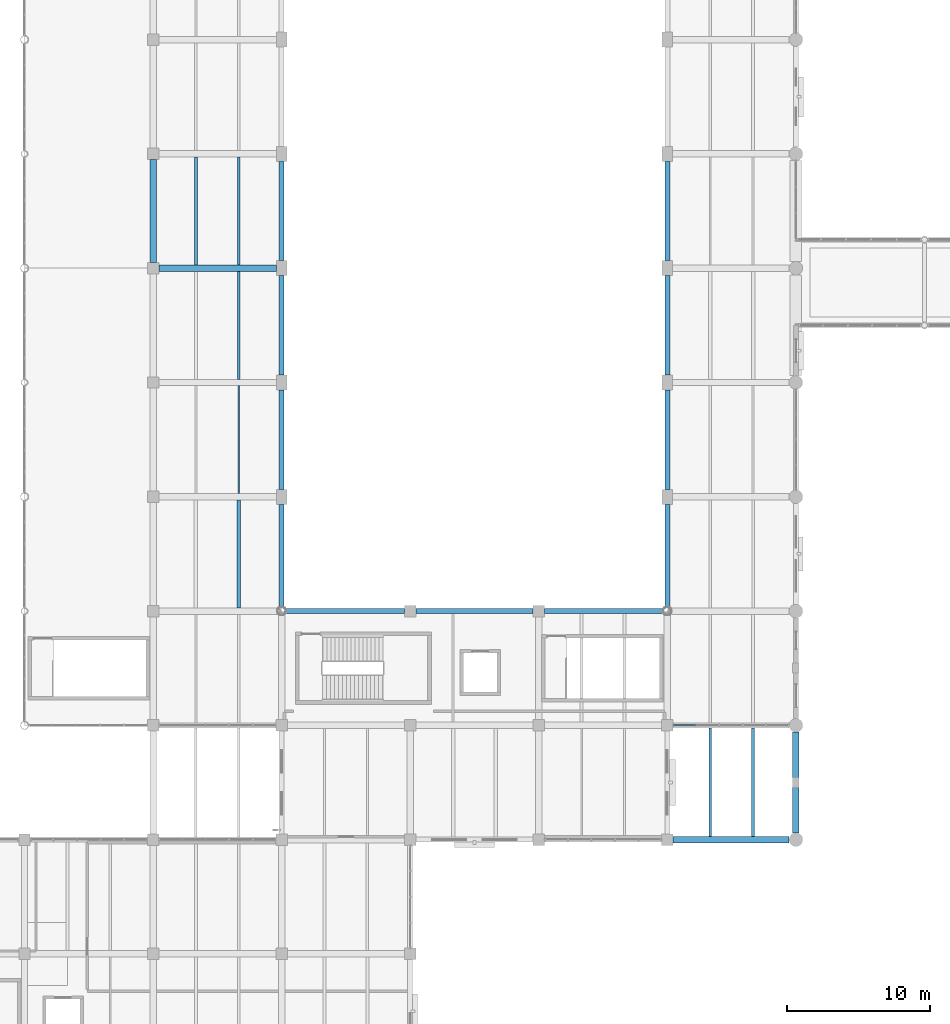
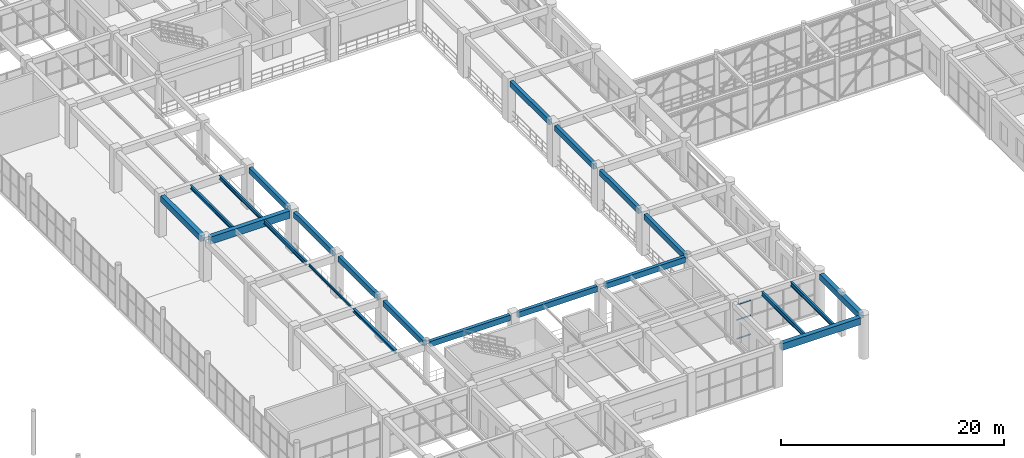
# One storey, part 43 of 178: 22 beams, 3 members, 1 element without a shape of its own.
"""IFC4 building model written with IfcOpenShell, lengths in metres."""

from ifc_helpers import new_model, si_unit, derived_unit, direction, frame, origin, origin_2d, place, context, subcontext, project, spatial, rectangle, hollow_rectangle, i_section, extrude, material, material_profile, profile_set, type_object, element, aggregate, save


model = new_model("IFC4")

# Units and contexts
model_context = context("Model", 3, precision=1e-05, world=origin(), true_north=direction((0.0, 1.0)))
body_context = subcontext(model_context, "Body", "Model", "MODEL_VIEW")
ifc_project = project(units=[si_unit("LENGTHUNIT", "METRE"), si_unit("AREAUNIT", "SQUARE_METRE"), si_unit("VOLUMEUNIT", "CUBIC_METRE"), si_unit("PLANEANGLEUNIT", "RADIAN"), si_unit("MASSUNIT", "GRAM", prefix="KILO"), derived_unit("THERMALTRANSMITTANCEUNIT", [(si_unit("MASSUNIT", "GRAM", prefix="KILO"), 1), (si_unit("TIMEUNIT", "SECOND"), -3), (si_unit("THERMODYNAMICTEMPERATUREUNIT", "KELVIN"), -1)])], contexts=[model_context])

# Site, building, storey
site_placement = place(None, origin())
site = spatial("IfcSite", under=ifc_project, at=site_placement, CompositionType="ELEMENT")
building_placement = place(site_placement, origin())
building = spatial("IfcBuilding", under=site, at=building_placement, Name="Zhenchuan Archway Interchange", CompositionType="ELEMENT")
storey_placement = place(building_placement, frame((0.0, 0.0, 5.39990234375)))
storey = spatial("IfcBuildingStorey", under=building, at=storey_placement, Name="L01", CompositionType="ELEMENT", Elevation=5.39990234375)

# Beams
ifc_material_1 = material(Name="Concrete C40", Category="concrete")
ifc_material_profile_1 = material_profile(ifc_material_1, rectangle(XDim=0.449951171875, YDim=0.64990234375, at=origin_2d()), Name="RC 450x650")
ifc_profile_set_1 = profile_set([ifc_material_profile_1], Name="Concrete C40")
beam_type_1 = type_object("IfcBeamType", Name="BM_RC_450x650", PredefinedType="BEAM", material=ifc_profile_set_1)
beam_1_placement = place(storey_placement, frame((27.0, 56.39990234375, 4.18505859375), z_axis=(0.0, 1.0, 0.0), x_axis=(-1.0, 0.0, 0.0)))
element("IfcBeam", 1, at=beam_1_placement, inside=storey, type_object=beam_type_1, Name="Beam 4:H-J (L01)", PredefinedType="BEAM", context=body_context, shape_type="SweptSolid", body=[
    extrude(rectangle(XDim=0.449951171875, YDim=0.64990234375, at=origin_2d()), origin(), (0.0, 0.0, 1.0), 7.2001953125),
])
beam_2_placement = place(storey_placement, frame((72.0, 16.47509765625, 4.18505859375), z_axis=(0.0, 1.0, 0.0), x_axis=(-1.0, 0.0, 0.0)))
element("IfcBeam", 2, at=beam_2_placement, inside=storey, type_object=beam_type_1, Name="Beam 9:C-D (L01)", PredefinedType="BEAM", context=body_context, shape_type="SweptSolid", body=[
    extrude(rectangle(XDim=0.449951171875, YDim=0.64990234375, at=origin_2d()), origin(), (0.0, 0.0, 1.0), 7.0498046875),
])
ifc_material_profile_2 = material_profile(ifc_material_1, rectangle(XDim=0.449951171875, YDim=0.75, at=origin_2d()), Name="RC 450x750")
ifc_profile_set_2 = profile_set([ifc_material_profile_2], Name="Concrete C40")
beam_type_2 = type_object("IfcBeamType", Name="BM_RC_450x750", PredefinedType="BEAM", material=ifc_profile_set_2)
beam_3_placement = place(storey_placement, frame((63.39990234375, 16.0, 4.135009765625), z_axis=(1.0, 0.0, 0.0), x_axis=(0.0, 1.0, 0.0)))
element("IfcBeam", 3, at=beam_3_placement, inside=storey, type_object=beam_type_2, Name="Beam C:8-9 (L01)", PredefinedType="BEAM", context=body_context, shape_type="SweptSolid", body=[
    extrude(rectangle(XDim=0.449951171875, YDim=0.75, at=origin_2d()), origin(), (0.0, 0.0, 1.0), 8.125),
])
ifc_material_profile_3 = material_profile(ifc_material_1, rectangle(XDim=0.449951171875, YDim=0.800048828125, at=origin_2d()), Name="RC 450x800")
ifc_profile_set_3 = profile_set([ifc_material_profile_3], Name="Concrete C40")
beam_type_3 = type_object("IfcBeamType", Name="BM_RC_450x800", PredefinedType="BEAM", material=ifc_profile_set_3)
beam_4_placement = place(storey_placement, frame((27.39990234375, 56.0, 4.110107421875), z_axis=(1.0, 0.0, 0.0), x_axis=(0.0, 1.0, 0.0)))
element("IfcBeam", 4, at=beam_4_placement, inside=storey, type_object=beam_type_3, Name="Beam H:4-5 (L01)", PredefinedType="BEAM", context=body_context, shape_type="SweptSolid", body=[
    extrude(rectangle(XDim=0.449951171875, YDim=0.800048828125, at=origin_2d()), origin(), (0.0, 0.0, 1.0), 8.22509765625),
])

# Curtain wall, members
ifc_material_2 = material(Name="Anodised Aluminium", Category="aluminium")
curtain_wall_type = type_object("IfcCurtainWallType", Name="CW_UNIT_4", PredefinedType="NOTDEFINED", material=ifc_material_2)
curtain_wall_placement = place(storey_placement, origin())
curtain_wall = element("IfcCurtainWall", 5, at=curtain_wall_placement, inside=storey, type_object=curtain_wall_type, Name="Unitised curtain wall CW:L01:079", PredefinedType="NOTDEFINED")
ifc_material_profile_4 = material_profile(ifc_material_2, hollow_rectangle(XDim=0.06005859375, YDim=0.139892578125, WallThickness=0.00341796875, InnerFilletRadius=0.00341796875, OuterFilletRadius=0.007080078125, at=origin_2d()), Name="ALU 140x60x3.5")
ifc_profile_set_4 = profile_set([ifc_material_profile_4], Name="Anodised Aluminium")
member_type = type_object("IfcMemberType", Name="CW_TRN_140", PredefinedType="USERDEFINED", material=ifc_profile_set_4)
member_1_placement = place(storey_placement, frame((64.946044921875, 24.0, 0.06005859375), z_axis=(-1.0, 0.0, 0.0), x_axis=(0.0, -1.0, 0.0)))
member_1 = element("IfcMember", 6, at=member_1_placement, type_object=member_type, Name="CW:L01:079 transom 4-1", ObjectType="TRANSOM", PredefinedType="USERDEFINED", context=body_context, shape_type="SweptSolid", body=[
    extrude(hollow_rectangle(XDim=0.06005859375, YDim=0.139892578125, WallThickness=0.00341796875, InnerFilletRadius=0.00341796875, OuterFilletRadius=0.007080078125, at=origin_2d()), origin(), (0.0, 0.0, 1.0), 1.498046875),
])
member_2_placement = place(storey_placement, frame((64.946044921875, 24.0, 2.123046875), z_axis=(-1.0, 0.0, 0.0), x_axis=(0.0, -1.0, 0.0)))
member_2 = element("IfcMember", 7, at=member_2_placement, type_object=member_type, Name="CW:L01:079 transom 4-2", ObjectType="TRANSOM", PredefinedType="USERDEFINED", context=body_context, shape_type="SweptSolid", body=[
    extrude(hollow_rectangle(XDim=0.06005859375, YDim=0.139892578125, WallThickness=0.00341796875, InnerFilletRadius=0.00341796875, OuterFilletRadius=0.007080078125, at=origin_2d()), origin(), (0.0, 0.0, 1.0), 1.498046875),
])
member_3_placement = place(storey_placement, frame((64.946044921875, 24.0, 3.800048828125), z_axis=(-1.0, 0.0, 0.0), x_axis=(0.0, -1.0, 0.0)))
member_3 = element("IfcMember", 8, at=member_3_placement, type_object=member_type, Name="CW:L01:079 transom 4-3", ObjectType="TRANSOM", PredefinedType="USERDEFINED", context=body_context, shape_type="SweptSolid", body=[
    extrude(hollow_rectangle(XDim=0.06005859375, YDim=0.139892578125, WallThickness=0.00341796875, InnerFilletRadius=0.00341796875, OuterFilletRadius=0.007080078125, at=origin_2d()), origin(), (0.0, 0.0, 1.0), 1.498046875),
])
aggregate(curtain_wall, [member_1, member_2, member_3])

# Beams
ifc_material_3 = material(Name="Steel Q355", Category="steel")
ifc_material_profile_5 = material_profile(ifc_material_3, i_section(OverallWidth=0.25, OverallDepth=0.340087890625, WebThickness=0.009033203125, FlangeThickness=0.013916015625, FilletRadius=0.01806640625, at=origin_2d()), Name="HM 340x250")
ifc_profile_set_5 = profile_set([ifc_material_profile_5], Name="Steel Q355")
beam_type_4 = type_object("IfcBeamType", Name="JST_STL_HM340", PredefinedType="JOIST", material=ifc_profile_set_5)
beam_5_placement = place(storey_placement, frame((33.0, 32.22509765625, 4.340087890625), z_axis=(0.0, 1.0, 0.0), x_axis=(-1.0, 0.0, 0.0)))
element("IfcBeam", 9, at=beam_5_placement, inside=storey, type_object=beam_type_4, Name="Secondary joist 4-5/E-F #2 (L01)", PredefinedType="JOIST", context=body_context, shape_type="SweptSolid", body=[
    extrude(i_section(OverallWidth=0.25, OverallDepth=0.340087890625, WebThickness=0.009033203125, FlangeThickness=0.013916015625, FilletRadius=0.01806640625, at=origin_2d()), origin(), (0.0, 0.0, 1.0), 7.5498046875),
])
ifc_material_profile_6 = material_profile(ifc_material_3, i_section(OverallWidth=0.125, OverallDepth=0.25, WebThickness=0.006103515625, FlangeThickness=0.009033203125, FilletRadius=0.011962890625, at=origin_2d()), Name="HN 250x125")
ifc_profile_set_6 = profile_set([ifc_material_profile_6], Name="Steel Q355")
beam_type_5 = type_object("IfcBeamType", Name="JST_STL_HN250", PredefinedType="JOIST", material=ifc_profile_set_6)
beam_6_placement = place(storey_placement, frame((33.0, 40.22509765625, 4.385009765625), z_axis=(0.0, 1.0, 0.0), x_axis=(-1.0, 0.0, 0.0)))
element("IfcBeam", 10, at=beam_6_placement, inside=storey, type_object=beam_type_5, Name="Secondary joist 4-5/F-G #2 (L01)", PredefinedType="JOIST", context=body_context, shape_type="SweptSolid", body=[
    extrude(i_section(OverallWidth=0.125, OverallDepth=0.25, WebThickness=0.006103515625, FlangeThickness=0.009033203125, FilletRadius=0.011962890625, at=origin_2d()), origin(), (0.0, 0.0, 1.0), 7.5498046875),
])
ifc_material_profile_7 = material_profile(ifc_material_3, i_section(OverallWidth=0.199951171875, OverallDepth=0.39990234375, WebThickness=0.008056640625, FlangeThickness=0.012939453125, FilletRadius=0.01611328125, at=origin_2d()), Name="HN 400x200")
ifc_profile_set_7 = profile_set([ifc_material_profile_7], Name="Steel Q355")
beam_type_6 = type_object("IfcBeamType", Name="JST_STL_HN400", PredefinedType="JOIST", material=ifc_profile_set_7)
for number, where, z_axis, x_axis, name in (
    (11, (30.0, 56.22509765625, 4.31005859375), (0.0, 1.0, 0.0), (-1.0, 0.0, 0.0), "Secondary joist 4-5/H-J #1 (L01)"),
    (12, (33.0, 56.22509765625, 4.31005859375), (0.0, 1.0, 0.0), (-1.0, 0.0, 0.0), "Secondary joist 4-5/H-J #2 (L01)"),
):
    element("IfcBeam", number, at=place(storey_placement, frame(where, z_axis=z_axis, x_axis=x_axis)), inside=storey, type_object=beam_type_6, Name=name, PredefinedType="JOIST", context=body_context, shape_type="SweptSolid", body=[
        extrude(i_section(OverallWidth=0.199951171875, OverallDepth=0.39990234375, WebThickness=0.008056640625, FlangeThickness=0.012939453125, FilletRadius=0.01611328125, at=origin_2d()), origin(), (0.0, 0.0, 1.0), 7.5498046875),
    ])
ifc_material_profile_8 = material_profile(ifc_material_3, i_section(OverallWidth=0.199951171875, OverallDepth=0.449951171875, WebThickness=0.009033203125, FlangeThickness=0.013916015625, FilletRadius=0.01806640625, at=origin_2d()), Name="HN 450x200")
ifc_profile_set_8 = profile_set([ifc_material_profile_8], Name="Steel Q355")
beam_type_7 = type_object("IfcBeamType", Name="JST_STL_HN450", PredefinedType="JOIST", material=ifc_profile_set_8)
beam_7_placement = place(storey_placement, frame((33.0, 48.22509765625, 4.28515625), z_axis=(0.0, 1.0, 0.0), x_axis=(-1.0, 0.0, 0.0)))
element("IfcBeam", 13, at=beam_7_placement, inside=storey, type_object=beam_type_7, Name="Secondary joist 4-5/G-H #2 (L01)", PredefinedType="JOIST", context=body_context, shape_type="SweptSolid", body=[
    extrude(i_section(OverallWidth=0.199951171875, OverallDepth=0.449951171875, WebThickness=0.009033203125, FlangeThickness=0.013916015625, FilletRadius=0.01806640625, at=origin_2d()), origin(), (0.0, 0.0, 1.0), 7.5498046875),
])
for number, where, z_axis, x_axis, name in (
    (14, (66.0, 16.22509765625, 4.28515625), (0.0, 1.0, 0.0), (-1.0, 0.0, 0.0), "Secondary joist 8-9/C-D #1 (L01)"),
    (15, (69.0, 16.22509765625, 4.28515625), (0.0, 1.0, 0.0), (-1.0, 0.0, 0.0), "Secondary joist 8-9/C-D #2 (L01)"),
):
    element("IfcBeam", number, at=place(storey_placement, frame(where, z_axis=z_axis, x_axis=x_axis)), inside=storey, type_object=beam_type_7, Name=name, PredefinedType="JOIST", context=body_context, shape_type="SweptSolid", body=[
        extrude(i_section(OverallWidth=0.199951171875, OverallDepth=0.449951171875, WebThickness=0.009033203125, FlangeThickness=0.013916015625, FilletRadius=0.01806640625, at=origin_2d()), origin(), (0.0, 0.0, 1.0), 7.599853515625),
    ])
ifc_material_profile_9 = material_profile(ifc_material_1, rectangle(XDim=0.35009765625, YDim=0.60009765625, at=origin_2d()), Name="RC 350x600")
ifc_profile_set_9 = profile_set([ifc_material_profile_9], Name="Concrete C40")
beam_type_8 = type_object("IfcBeamType", Name="SP_RC_350x600", PredefinedType="SPANDREL", material=ifc_profile_set_9)
beam_8_placement = place(storey_placement, frame((36.304931640625, 32.0, 4.210205078125), z_axis=(1.0, 0.0, 0.0), x_axis=(0.0, 1.0, 0.0)))
element("IfcBeam", 16, at=beam_8_placement, inside=storey, type_object=beam_type_8, Name="Beam E:5-6 (L01)", PredefinedType="SPANDREL", context=body_context, shape_type="SweptSolid", body=[
    extrude(rectangle(XDim=0.35009765625, YDim=0.60009765625, at=origin_2d()), origin(), (0.0, 0.0, 1.0), 8.295166015625),
])
beam_9_placement = place(storey_placement, frame((45.39990234375, 32.0, 4.210205078125), z_axis=(1.0, 0.0, 0.0), x_axis=(0.0, 1.0, 0.0)))
element("IfcBeam", 17, at=beam_9_placement, inside=storey, type_object=beam_type_8, Name="Beam E:6-7 (L01)", PredefinedType="SPANDREL", context=body_context, shape_type="SweptSolid", body=[
    extrude(rectangle(XDim=0.35009765625, YDim=0.60009765625, at=origin_2d()), origin(), (0.0, 0.0, 1.0), 8.2001953125),
])
beam_10_placement = place(storey_placement, frame((54.39990234375, 32.0, 4.210205078125), z_axis=(1.0, 0.0, 0.0), x_axis=(0.0, 1.0, 0.0)))
element("IfcBeam", 18, at=beam_10_placement, inside=storey, type_object=beam_type_8, Name="Beam E:7-8 (L01)", PredefinedType="SPANDREL", context=body_context, shape_type="SweptSolid", body=[
    extrude(rectangle(XDim=0.35009765625, YDim=0.60009765625, at=origin_2d()), origin(), (0.0, 0.0, 1.0), 8.295166015625),
])
beam_11_placement = place(storey_placement, frame((36.0, 32.304931640625, 4.210205078125), z_axis=(0.0, 1.0, 0.0), x_axis=(-1.0, 0.0, 0.0)))
element("IfcBeam", 19, at=beam_11_placement, inside=storey, type_object=beam_type_8, Name="Beam 5:E-F (L01)", PredefinedType="SPANDREL", context=body_context, shape_type="SweptSolid", body=[
    extrude(rectangle(XDim=0.35009765625, YDim=0.60009765625, at=origin_2d()), origin(), (0.0, 0.0, 1.0), 7.170166015625),
])
for number, where, z_axis, x_axis, name in (
    (20, (36.0, 40.52490234375, 4.210205078125), (0.0, 1.0, 0.0), (-1.0, 0.0, 0.0), "Beam 5:F-G (L01)"),
    (21, (36.0, 48.52490234375, 4.210205078125), (0.0, 1.0, 0.0), (-1.0, 0.0, 0.0), "Beam 5:G-H (L01)"),
    (22, (36.0, 56.52490234375, 4.210205078125), (0.0, 1.0, 0.0), (-1.0, 0.0, 0.0), "Beam 5:H-J (L01)"),
):
    element("IfcBeam", number, at=place(storey_placement, frame(where, z_axis=z_axis, x_axis=x_axis)), inside=storey, type_object=beam_type_8, Name=name, PredefinedType="SPANDREL", context=body_context, shape_type="SweptSolid", body=[
        extrude(rectangle(XDim=0.35009765625, YDim=0.60009765625, at=origin_2d()), origin(), (0.0, 0.0, 1.0), 6.9501953125),
    ])
beam_12_placement = place(storey_placement, frame((63.0, 32.304931640625, 4.210205078125), z_axis=(0.0, 1.0, 0.0), x_axis=(-1.0, 0.0, 0.0)))
element("IfcBeam", 23, at=beam_12_placement, inside=storey, type_object=beam_type_8, Name="Beam 8:E-F (L01)", PredefinedType="SPANDREL", context=body_context, shape_type="SweptSolid", body=[
    extrude(rectangle(XDim=0.35009765625, YDim=0.60009765625, at=origin_2d()), origin(), (0.0, 0.0, 1.0), 7.170166015625),
])
for number, where, z_axis, x_axis, name in (
    (24, (63.0, 40.52490234375, 4.210205078125), (0.0, 1.0, 0.0), (-1.0, 0.0, 0.0), "Beam 8:F-G (L01)"),
    (25, (63.0, 48.52490234375, 4.210205078125), (0.0, 1.0, 0.0), (-1.0, 0.0, 0.0), "Beam 8:G-H (L01)"),
    (26, (63.0, 56.52490234375, 4.210205078125), (0.0, 1.0, 0.0), (-1.0, 0.0, 0.0), "Beam 8:H-J (L01)"),
):
    element("IfcBeam", number, at=place(storey_placement, frame(where, z_axis=z_axis, x_axis=x_axis)), inside=storey, type_object=beam_type_8, Name=name, PredefinedType="SPANDREL", context=body_context, shape_type="SweptSolid", body=[
        extrude(rectangle(XDim=0.35009765625, YDim=0.60009765625, at=origin_2d()), origin(), (0.0, 0.0, 1.0), 6.9501953125),
    ])

save(model, "model.ifc")
